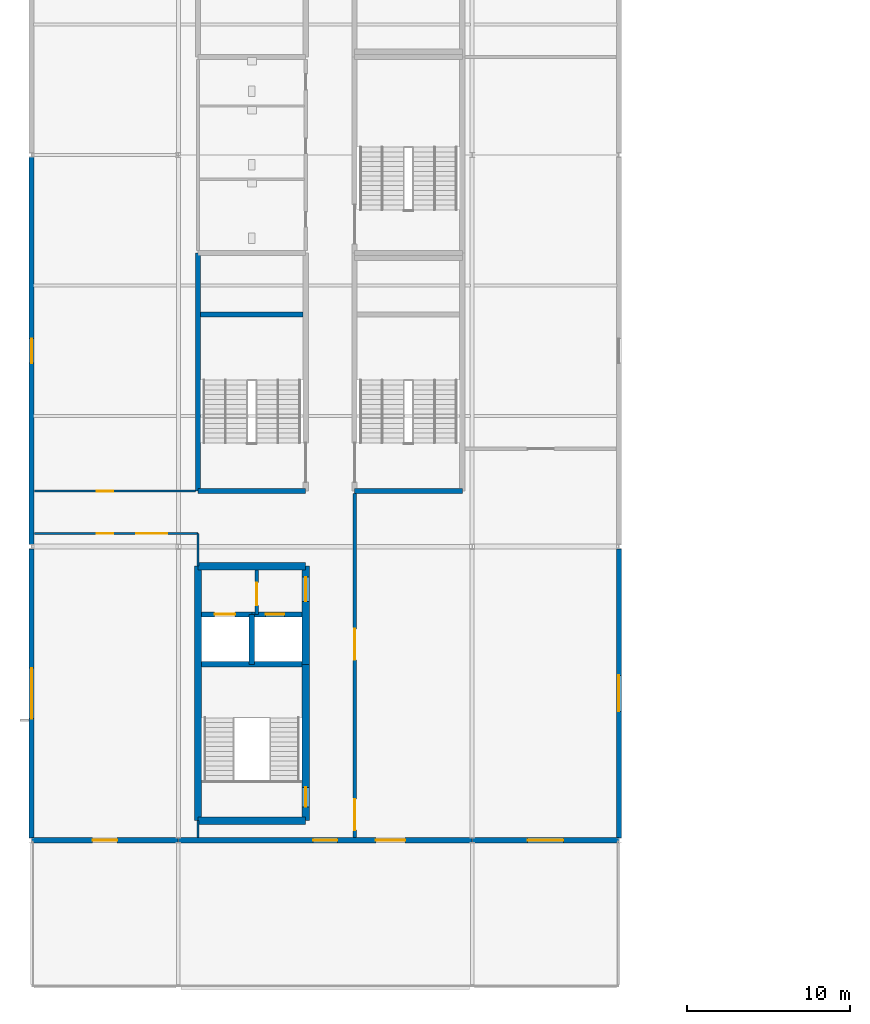
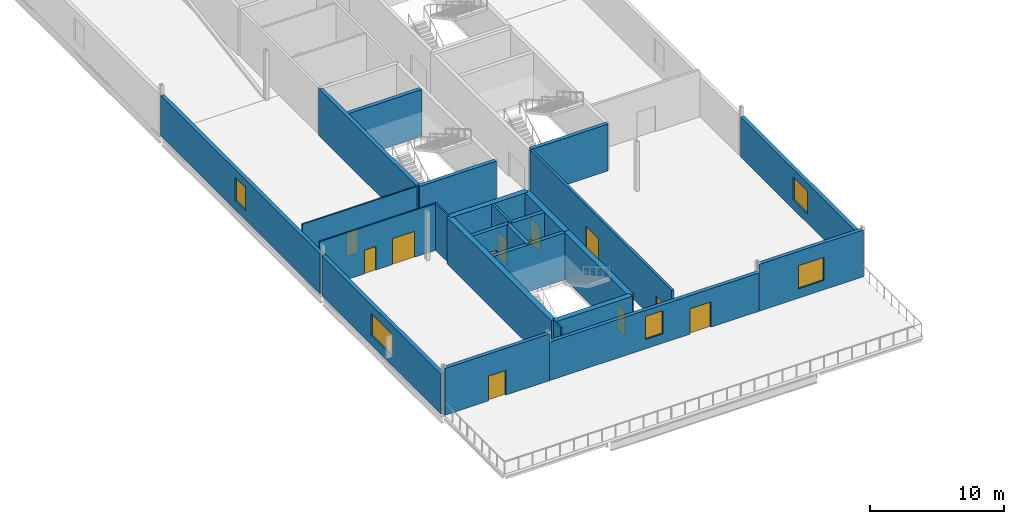
# One storey, part 11 of 28: 25 walls, 12 doors, 5 windows, 17 openings.
"""IFC4 building model written with IfcOpenShell, lengths in metres."""

from ifc_helpers import new_model, si_unit, direction, frame, frame_2d, origin, place, context, subcontext, project, spatial, rectangle, extrude, material, layer, layer_set, type_object, element, fill, save


model = new_model("IFC4")

# Units and contexts
model_context = context("Model", 3, precision=1e-05, world=origin(), true_north=direction((0.0, 1.0)))
body_context = subcontext(model_context, "Body", "Model", "MODEL_VIEW")
ifc_project = project(units=[si_unit("LENGTHUNIT", "METRE"), si_unit("AREAUNIT", "SQUARE_METRE"), si_unit("VOLUMEUNIT", "CUBIC_METRE"), si_unit("PLANEANGLEUNIT", "RADIAN"), si_unit("MASSUNIT", "GRAM", prefix="KILO")], contexts=[model_context])

# Site, building, storey
site_placement = place(None, origin())
site = spatial("IfcSite", under=ifc_project, at=site_placement, CompositionType="ELEMENT")
building_placement = place(site_placement, origin())
building = spatial("IfcBuilding", under=site, at=building_placement, Name="Kisiwana Market Hall", CompositionType="ELEMENT")
storey_placement = place(building_placement, frame((0.0, 0.0, 49.5)))
storey = spatial("IfcBuildingStorey", under=building, at=storey_placement, Name="L11", CompositionType="ELEMENT", Elevation=49.5)

# Wall, opening, door
ifc_material_1 = material(Name="Masonry blockwork", Category="masonry")
ifc_layer_1 = layer(ifc_material_1, 0.199951171875, Name="Plastered fire compartment block wall")
ifc_layer_set_1 = layer_set([ifc_layer_1], Name="WL-COMP-200")
wall_type_1 = type_object("IfcWallType", Name="WL-COMP-200", PredefinedType="PARTITIONING", material=ifc_layer_set_1)
wall_1_placement = place(storey_placement, frame((13.800048828125, 31.844970703125, 0.0), z_axis=(0.0, 0.0, 1.0), x_axis=(0.0, 1.0, 0.0)))
wall_1 = element("IfcWall", 1, at=wall_1_placement, inside=storey, type_object=wall_type_1, Name="Core W2 firefighting lobby wall W-2863", PredefinedType="PARTITIONING", context=body_context, shape_type="SweptSolid", body=[
    extrude(rectangle(XDim=2.72998046875, YDim=0.199951171875, at=frame_2d((1.364990234375, 0.0))), origin(), (0.0, 0.0, 1.0), 4.2548828125),
])
opening_1_placement = place(wall_1_placement, frame((0.550048828125, 0.0, 0.0)))
opening_1 = element("IfcOpeningElement", 2, at=opening_1_placement, cuts=wall_1, Name="Opening DR-L11-003", PredefinedType="OPENING", context=body_context, shape_type="SweptSolid", body=[
    extrude(rectangle(XDim=1.39990234375, YDim=2.25, at=frame_2d((0.699951171875, 1.125))), frame((0.0, 0.11181640625, 0.0), z_axis=(0.0, -1.0, 0.0), x_axis=(1.0, 0.0, 0.0)), (0.0, 0.0, 1.0), 0.223876953125),
])
ifc_material_2 = material(Name="Steel S275", Category="steel")
door_type_1 = type_object("IfcDoorType", Name="DR-FFLOB-FD120-1400", OperationType="DOUBLE_DOOR_SINGLE_SWING", PredefinedType="DOOR", material=ifc_material_2)
door_1_placement = place(opening_1_placement, frame((1.39990234375, 0.0, 0.0), z_axis=(0.0, 0.0, 1.0), x_axis=(-1.0, 0.0, 0.0)))
door_1 = element("IfcDoor", 3, at=door_1_placement, inside=storey, type_object=door_type_1, Name="Firefighting Lift Lobby W2 Door (L11)", OperationType="DOUBLE_DOOR_SINGLE_SWING", OverallHeight=2.25, OverallWidth=1.39990234375, PredefinedType="DOOR", context=body_context, shape_type="SweptSolid", body=[
    extrude(rectangle(XDim=1.39990234375, YDim=2.25, at=frame_2d((0.699951171875, 1.125))), frame((0.0, 0.02490234375, 0.0), z_axis=(0.0, -1.0, 0.0), x_axis=(1.0, 0.0, 0.0)), (0.0, 0.0, 1.0), 0.050048828125),
])
fill(opening_1, door_1)

# Wall, openings, doors
wall_2_placement = place(storey_placement, frame((19.800048828125, 18.169921875, 0.0), z_axis=(0.0, 0.0, 1.0), x_axis=(0.0, 1.0, 0.0)))
wall_2 = element("IfcWall", 4, at=wall_2_placement, inside=storey, type_object=wall_type_1, Name="Interior partition W-2881", PredefinedType="PARTITIONING", context=body_context, shape_type="SweptSolid", body=[
    extrude(rectangle(XDim=21.070068359375, YDim=0.199951171875, at=frame_2d((10.53515625, 0.0))), origin(), (0.0, 0.0, 1.0), 4.2548828125),
])
opening_2_placement = place(wall_2_placement, frame((10.8798828125, 0.0, 0.0)))
opening_2 = element("IfcOpeningElement", 5, at=opening_2_placement, cuts=wall_2, Name="Opening DR-L11-033", PredefinedType="OPENING", context=body_context, shape_type="SweptSolid", body=[
    extrude(rectangle(XDim=1.89990234375, YDim=2.35009765625, at=frame_2d((0.949951171875, 1.175048828125))), frame((0.0, 0.11181640625, 0.0), z_axis=(0.0, -1.0, 0.0), x_axis=(1.0, 0.0, 0.0)), (0.0, 0.0, 1.0), 0.223876953125),
])
opening_3_placement = place(wall_2_placement, frame((0.449951171875, 0.0, 0.0)))
opening_3 = element("IfcOpeningElement", 6, at=opening_3_placement, cuts=wall_2, Name="Opening DR-L11-034", PredefinedType="OPENING", context=body_context, shape_type="SweptSolid", body=[
    extrude(rectangle(XDim=1.89990234375, YDim=2.35009765625, at=frame_2d((0.949951171875, 1.175048828125))), frame((0.0, 0.11181640625, 0.0), z_axis=(0.0, -1.0, 0.0), x_axis=(1.0, 0.0, 0.0)), (0.0, 0.0, 1.0), 0.223876953125),
])
ifc_material_3 = material(Name="Steel S275", Category="steel")
door_type_2 = type_object("IfcDoorType", Name="DR-HALL-1900", OperationType="DOUBLE_DOOR_SINGLE_SWING", PredefinedType="DOOR", material=ifc_material_3)
door_2_placement = place(opening_2_placement, frame((1.89990234375, 0.0, 0.0), z_axis=(0.0, 0.0, 1.0), x_axis=(-1.0, 0.0, 0.0)))
door_2 = element("IfcDoor", 7, at=door_2_placement, inside=storey, type_object=door_type_2, Name="L11 W Sky-Garden Seminar Hall Door", OperationType="DOUBLE_DOOR_SINGLE_SWING", OverallHeight=2.35009765625, OverallWidth=1.89990234375, PredefinedType="DOOR", context=body_context, shape_type="SweptSolid", body=[
    extrude(rectangle(XDim=1.89990234375, YDim=2.35009765625, at=frame_2d((0.949951171875, 1.175048828125))), frame((0.0, 0.02490234375, 0.0), z_axis=(0.0, -1.0, 0.0), x_axis=(1.0, 0.0, 0.0)), (0.0, 0.0, 1.0), 0.050048828125),
])
fill(opening_2, door_2)
door_3_placement = place(opening_3_placement, frame((1.89990234375, 0.0, 0.0), z_axis=(0.0, 0.0, 1.0), x_axis=(-1.0, 0.0, 0.0)))
door_3 = element("IfcDoor", 8, at=door_3_placement, inside=storey, type_object=door_type_2, Name="L11 W Sky-Garden Seminar Hall Exit Door", OperationType="DOUBLE_DOOR_SINGLE_SWING", OverallHeight=2.35009765625, OverallWidth=1.89990234375, PredefinedType="DOOR", context=body_context, shape_type="SweptSolid", body=[
    extrude(rectangle(XDim=1.89990234375, YDim=2.35009765625, at=frame_2d((0.949951171875, 1.175048828125))), frame((0.0, 0.02490234375, 0.0), z_axis=(0.0, -1.0, 0.0), x_axis=(1.0, 0.0, 0.0)), (0.0, 0.0, 1.0), 0.050048828125),
])
fill(opening_3, door_3)

# Walls
ifc_material_4 = material(Name="Concrete C40/50", Category="concrete")
ifc_layer_2 = layer(ifc_material_4, 0.320068359375, Name="Reinforced concrete shaft wall")
ifc_layer_set_2 = layer_set([ifc_layer_2], Name="WL-CORE-320")
wall_type_2 = type_object("IfcWallType", Name="WL-CORE-320", PredefinedType="SHEAR", material=ifc_layer_set_2)
wall_3_placement = place(storey_placement, frame((10.425048828125, 28.784912109375, 0.0), z_axis=(0.0, 0.0, 1.0), x_axis=(1.0, 0.0, 0.0)))
element("IfcWall", 9, at=wall_3_placement, inside=storey, type_object=wall_type_2, Name="Core W2 shaft back shear wall W-2756", PredefinedType="SHEAR", context=body_context, shape_type="SweptSolid", body=[
    extrude(rectangle(XDim=6.14990234375, YDim=0.320068359375, at=frame_2d((3.074951171875, 0.0))), origin(), (0.0, 0.0, 1.0), 4.2548828125),
])
wall_4_placement = place(storey_placement, frame((13.5, 28.784912109375, 0.0), z_axis=(0.0, 0.0, 1.0), x_axis=(0.0, 1.0, 0.0)))
element("IfcWall", 10, at=wall_4_placement, inside=storey, type_object=wall_type_2, Name="Core W2 inter-shaft shear wall W-2757", PredefinedType="SHEAR", context=body_context, shape_type="SweptSolid", body=[
    extrude(rectangle(XDim=3.06005859375, YDim=0.320068359375, at=frame_2d((1.530029296875, 0.0))), origin(), (0.0, 0.0, 1.0), 4.2548828125),
])

# Wall, opening, door
wall_5_placement = place(storey_placement, frame((10.425048828125, 31.844970703125, 0.0), z_axis=(0.0, 0.0, 1.0), x_axis=(1.0, 0.0, 0.0)))
wall_5 = element("IfcWall", 11, at=wall_5_placement, inside=storey, type_object=wall_type_2, Name="Core W2 west lift front wall W-2758", PredefinedType="SHEAR", context=body_context, shape_type="SweptSolid", body=[
    extrude(rectangle(XDim=3.074951171875, YDim=0.320068359375, at=frame_2d((1.53759765625, 0.0))), origin(), (0.0, 0.0, 1.0), 4.2548828125),
])
opening_4_placement = place(wall_5_placement, frame((0.800048828125, 0.0, 0.0)))
opening_4 = element("IfcOpeningElement", 12, at=opening_4_placement, cuts=wall_5, Name="Opening LD-L11-001", PredefinedType="OPENING", context=body_context, shape_type="SweptSolid", body=[
    extrude(rectangle(XDim=1.25, YDim=2.25, at=frame_2d((0.625, 1.125))), frame((0.0, 0.171875, 0.0), z_axis=(0.0, -1.0, 0.0), x_axis=(1.0, 0.0, 0.0)), (0.0, 0.0, 1.0), 0.343994140625),
])
ifc_material_5 = material(Name="Steel S275", Category="steel")
door_type_3 = type_object("IfcDoorType", Name="DR-LIFT-FFL-1250", OperationType="DOUBLE_DOOR_SLIDING", PredefinedType="DOOR", material=ifc_material_5)
door_4_placement = place(opening_4_placement, origin())
door_4 = element("IfcDoor", 13, at=door_4_placement, inside=storey, type_object=door_type_3, Name="Lift Landing Door FFL-01 (L11)", OperationType="DOUBLE_DOOR_SLIDING", OverallHeight=2.25, OverallWidth=1.25, PredefinedType="DOOR", context=body_context, shape_type="SweptSolid", body=[
    extrude(rectangle(XDim=1.25, YDim=2.25, at=frame_2d((0.625, 1.125))), frame((0.0, 0.02490234375, 0.0), z_axis=(0.0, -1.0, 0.0), x_axis=(1.0, 0.0, 0.0)), (0.0, 0.0, 1.0), 0.050048828125),
])
fill(opening_4, door_4)

wall_6_placement = place(storey_placement, frame((13.5, 31.844970703125, 0.0), z_axis=(0.0, 0.0, 1.0), x_axis=(1.0, 0.0, 0.0)))
wall_6 = element("IfcWall", 14, at=wall_6_placement, inside=storey, type_object=wall_type_2, Name="Core W2 east lift front wall W-2759", PredefinedType="SHEAR", context=body_context, shape_type="SweptSolid", body=[
    extrude(rectangle(XDim=3.074951171875, YDim=0.320068359375, at=frame_2d((1.53759765625, 0.0))), origin(), (0.0, 0.0, 1.0), 4.2548828125),
])
opening_5_placement = place(wall_6_placement, frame((0.85009765625, 0.0, 0.0)))
opening_5 = element("IfcOpeningElement", 15, at=opening_5_placement, cuts=wall_6, Name="Opening LD-L11-002", PredefinedType="OPENING", context=body_context, shape_type="SweptSolid", body=[
    extrude(rectangle(XDim=1.14990234375, YDim=2.199951171875, at=frame_2d((0.574951171875, 1.10009765625))), frame((0.0, 0.171875, 0.0), z_axis=(0.0, -1.0, 0.0), x_axis=(1.0, 0.0, 0.0)), (0.0, 0.0, 1.0), 0.343994140625),
])
ifc_material_6 = material(Name="Steel S275", Category="steel")
door_type_4 = type_object("IfcDoorType", Name="DR-LIFT-PAX-1150", OperationType="DOUBLE_DOOR_SLIDING", PredefinedType="DOOR", material=ifc_material_6)
door_5_placement = place(opening_5_placement, origin())
door_5 = element("IfcDoor", 16, at=door_5_placement, inside=storey, type_object=door_type_4, Name="Lift Landing Door LP-01 (L11)", OperationType="DOUBLE_DOOR_SLIDING", OverallHeight=2.199951171875, OverallWidth=1.14990234375, PredefinedType="DOOR", context=body_context, shape_type="SweptSolid", body=[
    extrude(rectangle(XDim=1.14990234375, YDim=2.199951171875, at=frame_2d((0.574951171875, 1.10009765625))), frame((0.0, 0.02490234375, 0.0), z_axis=(0.0, -1.0, 0.0), x_axis=(1.0, 0.0, 0.0)), (0.0, 0.0, 1.0), 0.050048828125),
])
fill(opening_5, door_5)

# Walls
wall_7_placement = place(storey_placement, frame((10.199951171875, 39.39990234375, 0.0), z_axis=(0.0, 0.0, 1.0), x_axis=(1.0, 0.0, 0.0)))
element("IfcWall", 17, at=wall_7_placement, inside=storey, type_object=wall_type_2, Name="Core W3 south shear wall W-2787", PredefinedType="SHEAR", context=body_context, shape_type="SweptSolid", body=[
    extrude(rectangle(XDim=6.60009765625, YDim=0.320068359375, at=frame_2d((3.300048828125, 0.0))), origin(), (0.0, 0.0, 1.0), 4.2548828125),
])
wall_8_placement = place(storey_placement, frame((10.199951171875, 39.39990234375, 0.0), z_axis=(0.0, 0.0, 1.0), x_axis=(0.0, 1.0, 0.0)))
element("IfcWall", 18, at=wall_8_placement, inside=storey, type_object=wall_type_2, Name="Core W3 outer shear wall W-2789", PredefinedType="SHEAR", context=body_context, shape_type="SweptSolid", body=[
    extrude(rectangle(XDim=14.60009765625, YDim=0.320068359375, at=frame_2d((7.300048828125, 0.0))), origin(), (0.0, 0.0, 1.0), 4.2548828125),
])
wall_9_placement = place(storey_placement, frame((10.360107421875, 50.219970703125, 0.0), z_axis=(0.0, 0.0, 1.0), x_axis=(1.0, 0.0, 0.0)))
element("IfcWall", 19, at=wall_9_placement, inside=storey, type_object=wall_type_2, Name="Core W3 riser divider shear wall W-2791", PredefinedType="SHEAR", context=body_context, shape_type="SweptSolid", body=[
    extrude(rectangle(XDim=6.27978515625, YDim=0.320068359375, at=frame_2d((3.139892578125, 0.0))), origin(), (0.0, 0.0, 1.0), 4.2548828125),
])
wall_10_placement = place(storey_placement, frame((19.800048828125, 39.39990234375, 0.0), z_axis=(0.0, 0.0, 1.0), x_axis=(1.0, 0.0, 0.0)))
element("IfcWall", 20, at=wall_10_placement, inside=storey, type_object=wall_type_2, Name="Core W7 south shear wall W-2807", PredefinedType="SHEAR", context=body_context, shape_type="SweptSolid", body=[
    extrude(rectangle(XDim=6.599853515625, YDim=0.320068359375, at=frame_2d((3.2998046875, 0.0))), origin(), (0.0, 0.0, 1.0), 4.2548828125),
])
ifc_material_7 = material(Name="Concrete C40/50", Category="concrete")
ifc_layer_3 = layer(ifc_material_7, 0.449951171875, Name="Reinforced concrete core wall")
ifc_layer_set_3 = layer_set([ifc_layer_3], Name="WL-CORE-450")
wall_type_3 = type_object("IfcWallType", Name="WL-CORE-450", PredefinedType="SHEAR", material=ifc_layer_set_3)
for number, where, z_axis, x_axis, name in (
    (21, (10.199951171875, 19.199951171875, 0.0), (0.0, 0.0, 1.0), (1.0, 0.0, 0.0), "Core W2 south shear wall W-2751"),
    (22, (10.199951171875, 34.800048828125, 0.0), (0.0, 0.0, 1.0), (1.0, 0.0, 0.0), "Core W2 north shear wall W-2752"),
):
    element("IfcWall", number, at=place(storey_placement, frame(where, z_axis=z_axis, x_axis=x_axis)), inside=storey, type_object=wall_type_3, Name=name, PredefinedType="SHEAR", context=body_context, shape_type="SweptSolid", body=[
        extrude(rectangle(XDim=6.60009765625, YDim=0.449951171875, at=frame_2d((3.300048828125, 0.0))), origin(), (0.0, 0.0, 1.0), 4.2548828125),
    ])
wall_11_placement = place(storey_placement, frame((10.199951171875, 19.199951171875, 0.0), z_axis=(0.0, 0.0, 1.0), x_axis=(0.0, 1.0, 0.0)))
element("IfcWall", 23, at=wall_11_placement, inside=storey, type_object=wall_type_3, Name="Core W2 outer shear wall W-2753", PredefinedType="SHEAR", context=body_context, shape_type="SweptSolid", body=[
    extrude(rectangle(XDim=15.60009765625, YDim=0.449951171875, at=frame_2d((7.800048828125, 0.0))), origin(), (0.0, 0.0, 1.0), 4.2548828125),
])

# Wall, opening, door
wall_12_placement = place(storey_placement, frame((16.800048828125, 19.199951171875, 0.0), z_axis=(0.0, 0.0, 1.0), x_axis=(0.0, 1.0, 0.0)))
wall_12 = element("IfcWall", 24, at=wall_12_placement, inside=storey, type_object=wall_type_3, Name="Core W2 stair corridor shear wall W-2754", PredefinedType="SHEAR", context=body_context, shape_type="SweptSolid", body=[
    extrude(rectangle(XDim=9.5849609375, YDim=0.449951171875, at=frame_2d((4.79248046875, 0.0))), origin(), (0.0, 0.0, 1.0), 4.2548828125),
])
opening_6_placement = place(wall_12_placement, frame((0.85009765625, 0.0, 0.0)))
opening_6 = element("IfcOpeningElement", 25, at=opening_6_placement, cuts=wall_12, Name="Opening DR-L11-001", PredefinedType="OPENING", context=body_context, shape_type="SweptSolid", body=[
    extrude(rectangle(XDim=1.199951171875, YDim=2.199951171875, at=frame_2d((0.60009765625, 1.10009765625))), frame((0.0, 0.23681640625, 0.0), z_axis=(0.0, -1.0, 0.0), x_axis=(1.0, 0.0, 0.0)), (0.0, 0.0, 1.0), 0.473876953125),
])
ifc_material_8 = material(Name="Steel S275", Category="steel")
door_type_5 = type_object("IfcDoorType", Name="DR-STAIR-FD120-1200", OperationType="NOTDEFINED", PredefinedType="DOOR", material=ifc_material_8)
door_6_placement = place(opening_6_placement, origin())
door_6 = element("IfcDoor", 26, at=door_6_placement, inside=storey, type_object=door_type_5, Name="Escape Stair W2 Fire Door (L11)", OperationType="SINGLE_SWING_LEFT", OverallHeight=2.199951171875, OverallWidth=1.199951171875, PredefinedType="DOOR", context=body_context, shape_type="SweptSolid", body=[
    extrude(rectangle(XDim=1.199951171875, YDim=2.199951171875, at=frame_2d((0.60009765625, 1.10009765625))), frame((0.0, 0.02490234375, 0.0), z_axis=(0.0, -1.0, 0.0), x_axis=(1.0, 0.0, 0.0)), (0.0, 0.0, 1.0), 0.050048828125),
])
fill(opening_6, door_6)

wall_13_placement = place(storey_placement, frame((16.800048828125, 28.784912109375, 0.0), z_axis=(0.0, 0.0, 1.0), x_axis=(0.0, 1.0, 0.0)))
wall_13 = element("IfcWall", 27, at=wall_13_placement, inside=storey, type_object=wall_type_3, Name="Core W2 lobby corridor shear wall W-2755", PredefinedType="SHEAR", context=body_context, shape_type="SweptSolid", body=[
    extrude(rectangle(XDim=6.01513671875, YDim=0.449951171875, at=frame_2d((3.007568359375, 0.0))), origin(), (0.0, 0.0, 1.0), 4.2548828125),
])
opening_7_placement = place(wall_13_placement, frame((3.85009765625, 0.0, 0.0)))
opening_7 = element("IfcOpeningElement", 28, at=opening_7_placement, cuts=wall_13, Name="Opening DR-L11-002", PredefinedType="OPENING", context=body_context, shape_type="SweptSolid", body=[
    extrude(rectangle(XDim=1.5, YDim=2.199951171875, at=frame_2d((0.75, 1.10009765625))), frame((0.0, 0.23681640625, 0.0), z_axis=(0.0, -1.0, 0.0), x_axis=(1.0, 0.0, 0.0)), (0.0, 0.0, 1.0), 0.473876953125),
])
ifc_material_9 = material(Name="Steel S275", Category="steel")
door_type_6 = type_object("IfcDoorType", Name="DR-CORR-FD60-1500", OperationType="DOUBLE_DOOR_SINGLE_SWING", PredefinedType="DOOR", material=ifc_material_9)
door_7_placement = place(opening_7_placement, frame((1.5, 0.0, 0.0), z_axis=(0.0, 0.0, 1.0), x_axis=(-1.0, 0.0, 0.0)))
door_7 = element("IfcDoor", 29, at=door_7_placement, inside=storey, type_object=door_type_6, Name="Passenger Lift Lobby W2 Smoke Door (L11)", OperationType="DOUBLE_DOOR_SINGLE_SWING", OverallHeight=2.199951171875, OverallWidth=1.5, PredefinedType="DOOR", context=body_context, shape_type="SweptSolid", body=[
    extrude(rectangle(XDim=1.5, YDim=2.199951171875, at=frame_2d((0.75, 1.10009765625))), frame((0.0, 0.02490234375, 0.0), z_axis=(0.0, -1.0, 0.0), x_axis=(1.0, 0.0, 0.0)), (0.0, 0.0, 1.0), 0.050048828125),
])
fill(opening_7, door_7)

ifc_material_10 = material(Name="Concrete C40/50 precast", Category="concrete")
ifc_layer_4 = layer(ifc_material_10, 0.31494140625)
ifc_layer_set_4 = layer_set([ifc_layer_4], Name="WL-EXT-315")
wall_type_4 = type_object("IfcWallType", Name="WL-EXT-315", PredefinedType="STANDARD", material=ifc_layer_set_4)
wall_14_placement = place(storey_placement, frame((0.010009765625, 18.0, 0.0), z_axis=(0.0, 0.0, 1.0), x_axis=(1.0, 0.0, 0.0)))
wall_14 = element("IfcWall", 30, at=wall_14_placement, inside=storey, type_object=wall_type_4, Name="Exterior wall W-2835", PredefinedType="STANDARD", context=body_context, shape_type="SweptSolid", body=[
    extrude(rectangle(XDim=8.97998046875, YDim=0.31494140625, at=frame_2d((4.489990234375, 0.0))), origin(), (0.0, 0.0, 1.0), 4.2548828125),
])
opening_8_placement = place(wall_14_placement, frame((3.739990234375, 0.0, 0.0)))
opening_8 = element("IfcOpeningElement", 31, at=opening_8_placement, cuts=wall_14, Name="Opening DR-L11-993", PredefinedType="OPENING", context=body_context, shape_type="SweptSolid", body=[
    extrude(rectangle(XDim=1.5, YDim=2.25, at=frame_2d((0.75, 1.125))), frame((0.0, 0.16943359375, 0.0), z_axis=(0.0, -1.0, 0.0), x_axis=(1.0, 0.0, 0.0)), (0.0, 0.0, 1.0), 0.3388671875),
])
ifc_material_11 = material(Name="Aluminium alloy 6063-T6", Category="aluminium")
door_type_7 = type_object("IfcDoorType", Name="DR-EXT-TERR-1500", OperationType="DOUBLE_DOOR_SINGLE_SWING", PredefinedType="DOOR", material=ifc_material_11)
door_8_placement = place(opening_8_placement, origin())
door_8 = element("IfcDoor", 32, at=door_8_placement, inside=storey, type_object=door_type_7, Name="Exterior terrace access door DR-L11-993", OperationType="DOUBLE_DOOR_SINGLE_SWING", OverallHeight=2.25, OverallWidth=1.5, PredefinedType="DOOR", context=body_context, shape_type="SweptSolid", body=[
    extrude(rectangle(XDim=1.5, YDim=2.25, at=frame_2d((0.75, 1.125))), frame((0.0, 0.02490234375, 0.0), z_axis=(0.0, -1.0, 0.0), x_axis=(1.0, 0.0, 0.0)), (0.0, 0.0, 1.0), 0.050048828125),
])
fill(opening_8, door_8)

# Wall, openings, door, window
wall_15_placement = place(storey_placement, frame((9.010009765625, 18.0, 0.0), z_axis=(0.0, 0.0, 1.0), x_axis=(1.0, 0.0, 0.0)))
wall_15 = element("IfcWall", 33, at=wall_15_placement, inside=storey, type_object=wall_type_4, Name="Exterior wall W-2836", PredefinedType="STANDARD", context=body_context, shape_type="SweptSolid", body=[
    extrude(rectangle(XDim=17.97998046875, YDim=0.31494140625, at=frame_2d((8.989990234375, 0.0))), origin(), (0.0, 0.0, 1.0), 3.492919921875),
])
opening_9_placement = place(wall_15_placement, frame((8.239990234375, 0.0, 0.85009765625)))
opening_9 = element("IfcOpeningElement", 34, at=opening_9_placement, cuts=wall_15, Name="Opening WN-04", PredefinedType="OPENING", context=body_context, shape_type="SweptSolid", body=[
    extrude(rectangle(XDim=1.5, YDim=2.10009765625, at=frame_2d((0.75, 1.050048828125))), frame((0.0, 0.16943359375, 0.0), z_axis=(0.0, -1.0, 0.0), x_axis=(1.0, 0.0, 0.0)), (0.0, 0.0, 1.0), 0.3388671875),
])
opening_10_placement = place(wall_15_placement, frame((12.090087890625, 0.0, 0.0)))
opening_10 = element("IfcOpeningElement", 35, at=opening_10_placement, cuts=wall_15, Name="Opening DR-L11-997", PredefinedType="OPENING", context=body_context, shape_type="SweptSolid", body=[
    extrude(rectangle(XDim=1.800048828125, YDim=2.300048828125, at=frame_2d((0.89990234375, 1.14990234375))), frame((0.0, 0.16943359375, 0.0), z_axis=(0.0, -1.0, 0.0), x_axis=(1.0, 0.0, 0.0)), (0.0, 0.0, 1.0), 0.3388671875),
])
ifc_material_12 = material(Name="Aluminium alloy 6063-T6", Category="aluminium")
door_type_8 = type_object("IfcDoorType", Name="DR-EXT-TERR-1800", OperationType="DOUBLE_DOOR_SINGLE_SWING", PredefinedType="DOOR", material=ifc_material_12)
door_9_placement = place(opening_10_placement, origin())
door_9 = element("IfcDoor", 36, at=door_9_placement, inside=storey, type_object=door_type_8, Name="Exterior terrace access door DR-L11-997", OperationType="DOUBLE_DOOR_SINGLE_SWING", OverallHeight=2.300048828125, OverallWidth=1.800048828125, PredefinedType="DOOR", context=body_context, shape_type="SweptSolid", body=[
    extrude(rectangle(XDim=1.800048828125, YDim=2.300048828125, at=frame_2d((0.89990234375, 1.14990234375))), frame((0.0, 0.02490234375, 0.0), z_axis=(0.0, -1.0, 0.0), x_axis=(1.0, 0.0, 0.0)), (0.0, 0.0, 1.0), 0.050048828125),
])
fill(opening_10, door_9)
ifc_material_13 = material(Name="Double-glazed solar-control low-E IGU", Category="glass")
window_type_1 = type_object("IfcWindowType", Name="WN-DRUM-1500x2100", PartitioningType="SINGLE_PANEL", PredefinedType="WINDOW", material=ifc_material_13)
window_1_placement = place(opening_9_placement, origin())
window_1 = element("IfcWindow", 37, at=window_1_placement, inside=storey, type_object=window_type_1, Name="Exterior window WN-333", OverallHeight=2.10009765625, OverallWidth=1.5, PartitioningType="SINGLE_PANEL", PredefinedType="WINDOW", context=body_context, shape_type="SweptSolid", body=[
    extrude(rectangle(XDim=1.5, YDim=2.10009765625, at=frame_2d((0.75, 1.050048828125))), frame((0.0, 0.030029296875, 0.0), z_axis=(0.0, -1.0, 0.0), x_axis=(1.0, 0.0, 0.0)), (0.0, 0.0, 1.0), 0.06005859375),
])
fill(opening_9, window_1)

# Wall, opening, window
wall_16_placement = place(storey_placement, frame((27.010009765625, 18.0, 0.0), z_axis=(0.0, 0.0, 1.0), x_axis=(1.0, 0.0, 0.0)))
wall_16 = element("IfcWall", 38, at=wall_16_placement, inside=storey, type_object=wall_type_4, Name="Exterior wall W-2837", PredefinedType="STANDARD", context=body_context, shape_type="SweptSolid", body=[
    extrude(rectangle(XDim=8.97998046875, YDim=0.31494140625, at=frame_2d((4.489990234375, 0.0))), origin(), (0.0, 0.0, 1.0), 4.2548828125),
])
opening_11_placement = place(wall_16_placement, frame((3.389892578125, 0.0, 0.85009765625)))
opening_11 = element("IfcOpeningElement", 39, at=opening_11_placement, cuts=wall_16, Name="Opening WN-28", PredefinedType="OPENING", context=body_context, shape_type="SweptSolid", body=[
    extrude(rectangle(XDim=2.199951171875, YDim=2.10009765625, at=frame_2d((1.10009765625, 1.050048828125))), frame((0.0, 0.16943359375, 0.0), z_axis=(0.0, -1.0, 0.0), x_axis=(1.0, 0.0, 0.0)), (0.0, 0.0, 1.0), 0.3388671875),
])
ifc_material_14 = material(Name="Double-glazed solar-control low-E IGU", Category="glass")
window_type_2 = type_object("IfcWindowType", Name="WN-SKYG-2200x2100", PartitioningType="SINGLE_PANEL", PredefinedType="WINDOW", material=ifc_material_14)
window_2_placement = place(opening_11_placement, origin())
window_2 = element("IfcWindow", 40, at=window_2_placement, inside=storey, type_object=window_type_2, Name="Exterior window WN-345", OverallHeight=2.10009765625, OverallWidth=2.199951171875, PartitioningType="SINGLE_PANEL", PredefinedType="WINDOW", context=body_context, shape_type="SweptSolid", body=[
    extrude(rectangle(XDim=2.199951171875, YDim=2.10009765625, at=frame_2d((1.10009765625, 1.050048828125))), frame((0.0, 0.030029296875, 0.0), z_axis=(0.0, -1.0, 0.0), x_axis=(1.0, 0.0, 0.0)), (0.0, 0.0, 1.0), 0.06005859375),
])
fill(opening_11, window_2)

wall_17_placement = place(storey_placement, frame((0.0, 18.133056640625, 0.0), z_axis=(0.0, 0.0, 1.0), x_axis=(0.0, 1.0, 0.0)))
wall_17 = element("IfcWall", 41, at=wall_17_placement, inside=storey, type_object=wall_type_4, Name="Exterior wall W-2847", PredefinedType="STANDARD", context=body_context, shape_type="SweptSolid", body=[
    extrude(rectangle(XDim=17.73388671875, YDim=0.31494140625, at=frame_2d((8.866943359375, 0.0))), origin(), (0.0, 0.0, 1.0), 3.642822265625),
])
opening_12_placement = place(wall_17_placement, frame((7.31689453125, 0.0, 0.85009765625)))
opening_12 = element("IfcOpeningElement", 42, at=opening_12_placement, cuts=wall_17, Name="Opening W-37", PredefinedType="OPENING", context=body_context, shape_type="SweptSolid", body=[
    extrude(rectangle(XDim=3.10009765625, YDim=2.0, at=frame_2d((1.550048828125, 1.0))), frame((0.0, 0.16943359375, 0.0), z_axis=(0.0, -1.0, 0.0), x_axis=(1.0, 0.0, 0.0)), (0.0, 0.0, 1.0), 0.3388671875),
])
ifc_material_15 = material(Name="Double-glazed solar-control low-E IGU", Category="glass")
window_type_3 = type_object("IfcWindowType", Name="WN-TWRC-3100x2000", PartitioningType="SINGLE_PANEL", PredefinedType="WINDOW", material=ifc_material_15)
window_3_placement = place(opening_12_placement, origin())
window_3 = element("IfcWindow", 43, at=window_3_placement, inside=storey, type_object=window_type_3, Name="Exterior window WN-332", OverallHeight=2.0, OverallWidth=3.10009765625, PartitioningType="SINGLE_PANEL", PredefinedType="WINDOW", context=body_context, shape_type="SweptSolid", body=[
    extrude(rectangle(XDim=3.10009765625, YDim=2.0, at=frame_2d((1.550048828125, 1.0))), frame((0.0, 0.030029296875, 0.0), z_axis=(0.0, -1.0, 0.0), x_axis=(1.0, 0.0, 0.0)), (0.0, 0.0, 1.0), 0.06005859375),
])
fill(opening_12, window_3)

wall_18_placement = place(storey_placement, frame((0.0, 36.133056640625, 0.0), z_axis=(0.0, 0.0, 1.0), x_axis=(0.0, 1.0, 0.0)))
wall_18 = element("IfcWall", 44, at=wall_18_placement, inside=storey, type_object=wall_type_4, Name="Exterior wall W-2848", PredefinedType="STANDARD", context=body_context, shape_type="SweptSolid", body=[
    extrude(rectangle(XDim=23.73388671875, YDim=0.31494140625, at=frame_2d((11.866943359375, 0.0))), origin(), (0.0, 0.0, 1.0), 3.642822265625),
])
opening_13_placement = place(wall_18_placement, frame((11.116943359375, 0.0, 0.85009765625)))
opening_13 = element("IfcOpeningElement", 45, at=opening_13_placement, cuts=wall_18, Name="Opening WN-04", PredefinedType="OPENING", context=body_context, shape_type="SweptSolid", body=[
    extrude(rectangle(XDim=1.5, YDim=2.10009765625, at=frame_2d((0.75, 1.050048828125))), frame((0.0, 0.16943359375, 0.0), z_axis=(0.0, -1.0, 0.0), x_axis=(1.0, 0.0, 0.0)), (0.0, 0.0, 1.0), 0.3388671875),
])
window_4_placement = place(opening_13_placement, origin())
window_4 = element("IfcWindow", 46, at=window_4_placement, inside=storey, type_object=window_type_1, Name="Exterior window WN-337", OverallHeight=2.10009765625, OverallWidth=1.5, PartitioningType="SINGLE_PANEL", PredefinedType="WINDOW", context=body_context, shape_type="SweptSolid", body=[
    extrude(rectangle(XDim=1.5, YDim=2.10009765625, at=frame_2d((0.75, 1.050048828125))), frame((0.0, 0.030029296875, 0.0), z_axis=(0.0, -1.0, 0.0), x_axis=(1.0, 0.0, 0.0)), (0.0, 0.0, 1.0), 0.06005859375),
])
fill(opening_13, window_4)

wall_19_placement = place(storey_placement, frame((36.0, 18.133056640625, 0.0), z_axis=(0.0, 0.0, 1.0), x_axis=(0.0, 1.0, 0.0)))
wall_19 = element("IfcWall", 47, at=wall_19_placement, inside=storey, type_object=wall_type_4, Name="Exterior wall W-2851", PredefinedType="STANDARD", context=body_context, shape_type="SweptSolid", body=[
    extrude(rectangle(XDim=17.73388671875, YDim=0.31494140625, at=frame_2d((8.866943359375, 0.0))), origin(), (0.0, 0.0, 1.0), 3.642822265625),
])
opening_14_placement = place(wall_19_placement, frame((7.766845703125, 0.0, 0.85009765625)))
opening_14 = element("IfcOpeningElement", 48, at=opening_14_placement, cuts=wall_19, Name="Opening WN-28", PredefinedType="OPENING", context=body_context, shape_type="SweptSolid", body=[
    extrude(rectangle(XDim=2.199951171875, YDim=2.10009765625, at=frame_2d((1.10009765625, 1.050048828125))), frame((0.0, 0.16943359375, 0.0), z_axis=(0.0, -1.0, 0.0), x_axis=(1.0, 0.0, 0.0)), (0.0, 0.0, 1.0), 0.3388671875),
])
window_5_placement = place(opening_14_placement, origin())
window_5 = element("IfcWindow", 49, at=window_5_placement, inside=storey, type_object=window_type_2, Name="Exterior window WN-350", OverallHeight=2.10009765625, OverallWidth=2.199951171875, PartitioningType="SINGLE_PANEL", PredefinedType="WINDOW", context=body_context, shape_type="SweptSolid", body=[
    extrude(rectangle(XDim=2.199951171875, YDim=2.10009765625, at=frame_2d((1.10009765625, 1.050048828125))), frame((0.0, 0.030029296875, 0.0), z_axis=(0.0, -1.0, 0.0), x_axis=(1.0, 0.0, 0.0)), (0.0, 0.0, 1.0), 0.06005859375),
])
fill(opening_14, window_5)

# Walls
ifc_material_16 = material(Name="Gypsum plasterboard")
ifc_layer_5 = layer(ifc_material_16, 0.125, Name="Double gypsum board + acoustic stud")
ifc_layer_set_5 = layer_set([ifc_layer_5], Name="WL-OFF-125")
wall_type_5 = type_object("IfcWallType", Name="WL-OFF-125", PredefinedType="PARTITIONING", material=ifc_layer_set_5)
wall_20_placement = place(storey_placement, frame((10.199951171875, 34.800048828125, 0.0), z_axis=(0.0, 0.0, 1.0), x_axis=(0.0, 1.0, 0.0)))
element("IfcWall", 50, at=wall_20_placement, inside=storey, type_object=wall_type_5, Name="Interior partition W-2871", PredefinedType="PARTITIONING", context=body_context, shape_type="SweptSolid", body=[
    extrude(rectangle(XDim=2.0, YDim=0.125, at=frame_2d((1.0, 0.0))), origin(), (0.0, 0.0, 1.0), 4.2548828125),
])
wall_21_placement = place(storey_placement, frame((10.199951171875, 18.169921875, 0.0), z_axis=(0.0, 0.0, 1.0), x_axis=(0.0, 1.0, 0.0)))
element("IfcWall", 51, at=wall_21_placement, inside=storey, type_object=wall_type_5, Name="Interior partition W-2873", PredefinedType="PARTITIONING", context=body_context, shape_type="SweptSolid", body=[
    extrude(rectangle(XDim=1.030029296875, YDim=0.125, at=frame_2d((0.51513671875, 0.0))), origin(), (0.0, 0.0, 1.0), 4.2548828125),
])

# Wall, openings, doors
wall_22_placement = place(storey_placement, frame((0.169921875, 36.800048828125, 0.0), z_axis=(0.0, 0.0, 1.0), x_axis=(1.0, 0.0, 0.0)))
wall_22 = element("IfcWall", 52, at=wall_22_placement, inside=storey, type_object=wall_type_5, Name="Interior partition W-2875", PredefinedType="PARTITIONING", context=body_context, shape_type="SweptSolid", body=[
    extrude(rectangle(XDim=10.030029296875, YDim=0.125, at=frame_2d((5.01513671875, 0.0))), origin(), (0.0, 0.0, 1.0), 4.2548828125),
])
opening_15_placement = place(wall_22_placement, frame((3.830078125, 0.0, 0.0)))
opening_15 = element("IfcOpeningElement", 53, at=opening_15_placement, cuts=wall_22, Name="Opening DR-L11-026", PredefinedType="OPENING", context=body_context, shape_type="SweptSolid", body=[
    extrude(rectangle(XDim=1.0, YDim=2.14990234375, at=frame_2d((0.5, 1.074951171875))), frame((0.0, 0.074462890625, 0.0), z_axis=(0.0, -1.0, 0.0), x_axis=(1.0, 0.0, 0.0)), (0.0, 0.0, 1.0), 0.14892578125),
])
opening_16_placement = place(wall_22_placement, frame((6.25, 0.0, 0.0)))
opening_16 = element("IfcOpeningElement", 54, at=opening_16_placement, cuts=wall_22, Name="Opening DR-L11-027", PredefinedType="OPENING", context=body_context, shape_type="SweptSolid", body=[
    extrude(rectangle(XDim=1.89990234375, YDim=2.35009765625, at=frame_2d((0.949951171875, 1.175048828125))), frame((0.0, 0.074462890625, 0.0), z_axis=(0.0, -1.0, 0.0), x_axis=(1.0, 0.0, 0.0)), (0.0, 0.0, 1.0), 0.14892578125),
])
door_10_placement = place(opening_16_placement, frame((1.89990234375, 0.0, 0.0), z_axis=(0.0, 0.0, 1.0), x_axis=(-1.0, 0.0, 0.0)))
door_10 = element("IfcDoor", 55, at=door_10_placement, inside=storey, type_object=door_type_2, Name="L11 W Civic Seminar Suite South Exit Door", OperationType="DOUBLE_DOOR_SINGLE_SWING", OverallHeight=2.35009765625, OverallWidth=1.89990234375, PredefinedType="DOOR", context=body_context, shape_type="SweptSolid", body=[
    extrude(rectangle(XDim=1.89990234375, YDim=2.35009765625, at=frame_2d((0.949951171875, 1.175048828125))), frame((0.0, 0.02490234375, 0.0), z_axis=(0.0, -1.0, 0.0), x_axis=(1.0, 0.0, 0.0)), (0.0, 0.0, 1.0), 0.050048828125),
])
fill(opening_16, door_10)
ifc_material_17 = material(Name="Aluminium alloy 6063-T6", Category="aluminium")
door_type_9 = type_object("IfcDoorType", Name="DR-OFF-1000", OperationType="NOTDEFINED", PredefinedType="DOOR", material=ifc_material_17)
door_11_placement = place(opening_15_placement, frame((1.0, 0.0, 0.0), z_axis=(0.0, 0.0, 1.0), x_axis=(-1.0, 0.0, 0.0)))
door_11 = element("IfcDoor", 56, at=door_11_placement, inside=storey, type_object=door_type_9, Name="L11 W Civic Seminar Suite South Door", OperationType="SINGLE_SWING_RIGHT", OverallHeight=2.14990234375, OverallWidth=1.0, PredefinedType="DOOR", context=body_context, shape_type="SweptSolid", body=[
    extrude(rectangle(XDim=1.0, YDim=2.14990234375, at=frame_2d((0.5, 1.074951171875))), frame((0.0, 0.02490234375, 0.0), z_axis=(0.0, -1.0, 0.0), x_axis=(1.0, 0.0, 0.0)), (0.0, 0.0, 1.0), 0.050048828125),
])
fill(opening_15, door_11)

# Wall, opening, door
wall_23_placement = place(storey_placement, frame((0.169921875, 39.39990234375, 0.0), z_axis=(0.0, 0.0, 1.0), x_axis=(1.0, 0.0, 0.0)))
wall_23 = element("IfcWall", 57, at=wall_23_placement, inside=storey, type_object=wall_type_5, Name="Interior partition W-2876", PredefinedType="PARTITIONING", context=body_context, shape_type="SweptSolid", body=[
    extrude(rectangle(XDim=9.8701171875, YDim=0.125, at=frame_2d((4.93505859375, 0.0))), origin(), (0.0, 0.0, 1.0), 4.2548828125),
])
opening_17_placement = place(wall_23_placement, frame((3.830078125, 0.0, 0.0)))
opening_17 = element("IfcOpeningElement", 58, at=opening_17_placement, cuts=wall_23, Name="Opening DR-L11-028", PredefinedType="OPENING", context=body_context, shape_type="SweptSolid", body=[
    extrude(rectangle(XDim=1.0, YDim=2.14990234375, at=frame_2d((0.5, 1.074951171875))), frame((0.0, 0.074462890625, 0.0), z_axis=(0.0, -1.0, 0.0), x_axis=(1.0, 0.0, 0.0)), (0.0, 0.0, 1.0), 0.14892578125),
])
door_12_placement = place(opening_17_placement, origin())
door_12 = element("IfcDoor", 59, at=door_12_placement, inside=storey, type_object=door_type_9, Name="L11 W Civic Seminar Suite Central Door", OperationType="SINGLE_SWING_LEFT", OverallHeight=2.14990234375, OverallWidth=1.0, PredefinedType="DOOR", context=body_context, shape_type="SweptSolid", body=[
    extrude(rectangle(XDim=1.0, YDim=2.14990234375, at=frame_2d((0.5, 1.074951171875))), frame((0.0, 0.02490234375, 0.0), z_axis=(0.0, -1.0, 0.0), x_axis=(1.0, 0.0, 0.0)), (0.0, 0.0, 1.0), 0.050048828125),
])
fill(opening_17, door_12)

save(model, "model.ifc")
